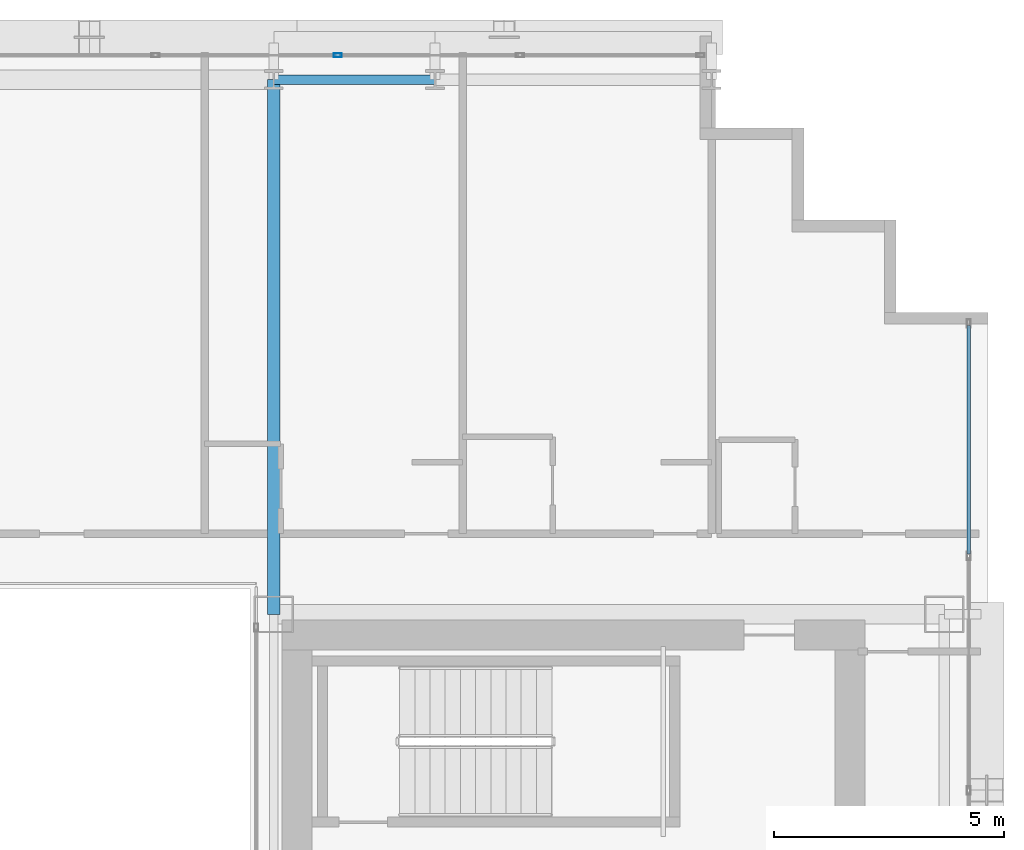
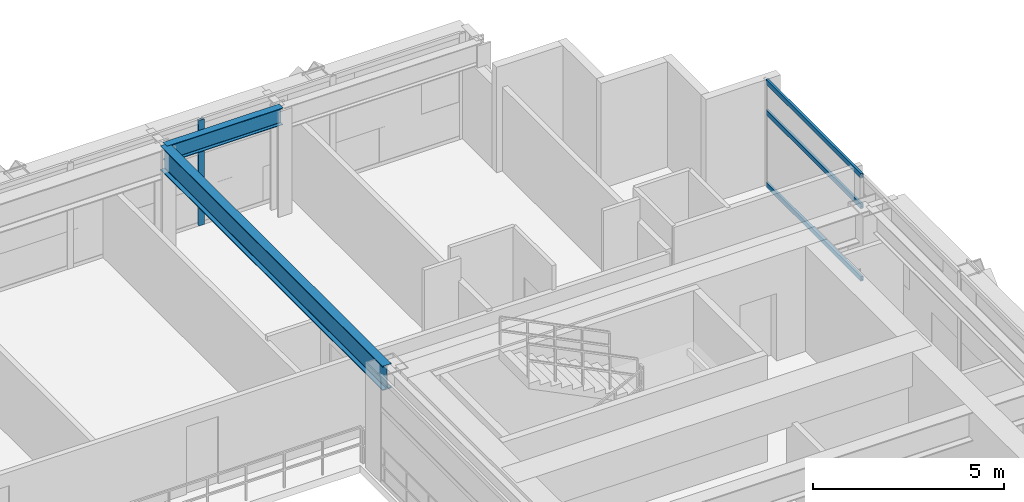
# One storey, part 24 of 39: 4 members, 2 beams, 2 elements without a shape of their own.
"""IFC4 building model written with IfcOpenShell, lengths in metres."""

from ifc_helpers import new_model, si_unit, direction, frame, origin, origin_2d, place, context, subcontext, project, spatial, hollow_rectangle, i_section, extrude, source, transform, mapped, material, layer, layer_set, material_profile, profile_set, type_object, element, aggregate, save


model = new_model("IFC4")

# Units and contexts
model_context = context("Model", 3, precision=1e-05, world=origin(), true_north=direction((0.0, 1.0)))
body_context = subcontext(model_context, "Body", "Model", "MODEL_VIEW")
ifc_project = project(units=[si_unit("LENGTHUNIT", "METRE"), si_unit("AREAUNIT", "SQUARE_METRE"), si_unit("VOLUMEUNIT", "CUBIC_METRE"), si_unit("PLANEANGLEUNIT", "RADIAN"), si_unit("MASSUNIT", "GRAM", prefix="KILO")], contexts=[model_context])

# Site, building, storey
site_placement = place(None, origin())
site = spatial("IfcSite", under=ifc_project, at=site_placement, CompositionType="ELEMENT")
building_placement = place(site_placement, origin())
building = spatial("IfcBuilding", under=site, at=building_placement, Name="Ocotamira Hotel", CompositionType="ELEMENT")
storey_placement = place(building_placement, frame((0.0, 0.0, 126.0)))
storey = spatial("IfcBuildingStorey", under=building, at=storey_placement, Name="L31", CompositionType="ELEMENT", Elevation=126.0)

# Beams
ifc_material_1 = material(Name="Steel ASTM A992 Grade 50", Category="steel")
ifc_material_profile_1 = material_profile(ifc_material_1, i_section(OverallWidth=0.2099609375, OverallDepth=0.537109375, WebThickness=0.010986328125, FlangeThickness=0.017333984375, FilletRadius=0.012939453125, at=origin_2d()), Name="W21X68")
ifc_profile_set_1 = profile_set([ifc_material_profile_1], Name="Steel ASTM A992 Grade 50")
beam_type_1 = type_object("IfcBeamType", Name="BM-SEC-W21X68", PredefinedType="JOIST", material=ifc_profile_set_1)
shared_shape_1 = source(origin(), body_context, "Body", "SweptSolid", [
    extrude(i_section(OverallWidth=0.2099609375, OverallDepth=0.537109375, WebThickness=0.010986328125, FlangeThickness=0.017333984375, FilletRadius=0.012939453125, at=origin_2d()), origin(), (0.0, 0.0, 1.0), 3.5),
])
beam_1_placement = place(storey_placement, frame((40.5, 49.050048828125, 3.091552734375), z_axis=(1.0, 0.0, 0.0), x_axis=(0.0, 1.0, 0.0)))
element("IfcBeam", 1, at=beam_1_placement, inside=storey, type_object=beam_type_1, Name="L31 Girder Y49.05 X40.5-44", PredefinedType="JOIST", context=body_context, shape_type="MappedRepresentation", body=[
    mapped(shared_shape_1, transform((0.0, 0.0, 0.0), scale=1.0)),
])
ifc_material_profile_2 = material_profile(ifc_material_1, i_section(OverallWidth=0.26611328125, OverallDepth=0.779052734375, WebThickness=0.0166015625, FlangeThickness=0.030029296875, FilletRadius=0.01806640625, at=origin_2d()), Name="W30X148")
ifc_profile_set_2 = profile_set([ifc_material_profile_2], Name="Steel ASTM A992 Grade 50")
beam_type_2 = type_object("IfcBeamType", Name="BM-GIRD-W30X148", PredefinedType="BEAM", material=ifc_profile_set_2)
shared_shape_2 = source(origin(), body_context, "Body", "SweptSolid", [
    extrude(i_section(OverallWidth=0.26611328125, OverallDepth=0.779052734375, WebThickness=0.0166015625, FlangeThickness=0.030029296875, FilletRadius=0.01806640625, at=origin_2d()), origin(), (0.0, 0.0, 1.0), 11.60009765625),
])
beam_2_placement = place(storey_placement, frame((40.5, 37.449951171875, 2.970458984375), z_axis=(0.0, 1.0, 0.0), x_axis=(-1.0, 0.0, 0.0)))
element("IfcBeam", 2, at=beam_2_placement, inside=storey, type_object=beam_type_2, Name="L31 Beam X40.5 Y37.45-49.05", PredefinedType="BEAM", context=body_context, shape_type="MappedRepresentation", body=[
    mapped(shared_shape_2, transform((0.0, 0.0, 0.0), scale=1.0)),
])

# Curtain wall, members
ifc_material_2 = material(Name="Anodised pale-metal aluminium and solar glass", Category="aluminium")
ifc_layer = layer(ifc_material_2, 0.179931640625)
ifc_layer_set = layer_set([ifc_layer], Name="Anodised pale-metal aluminium and solar glass")
curtain_wall_type = type_object("IfcCurtainWallType", Name="CW-SYS3-Z2", PredefinedType="NOTDEFINED", material=ifc_layer_set)
curtain_wall_1_placement = place(storey_placement, origin())
curtain_wall_1 = element("IfcCurtainWall", 3, at=curtain_wall_1_placement, inside=storey, type_object=curtain_wall_type, Name="L31 Curtain Wall CW-3 CW-L31-E", PredefinedType="NOTDEFINED")
ifc_material_3 = material(Name="Anodised pale-metal aluminium 6063-T6", Category="aluminium")
ifc_material_profile_3 = material_profile(ifc_material_3, hollow_rectangle(XDim=0.074951171875, YDim=0.14990234375, WallThickness=0.006103515625, at=origin_2d()), Name="HSS150X75X6")
ifc_profile_set_3 = profile_set([ifc_material_profile_3], Name="Anodised pale-metal aluminium 6063-T6")
member_type_1 = type_object("IfcMemberType", Name="CWT-150X75", PredefinedType="USERDEFINED", material=ifc_profile_set_3)
shared_shape_3 = source(origin(), body_context, "Body", "SweptSolid", [
    extrude(hollow_rectangle(XDim=0.074951171875, YDim=0.14990234375, WallThickness=0.006103515625, at=origin_2d()), origin(), (0.0, 0.0, 1.0), 4.965576171875),
])
member_1_placement = place(storey_placement, frame((55.580078125, 38.75439453125, 0.03759765625), z_axis=(0.0, 1.0, 0.0), x_axis=(-1.0, 0.0, 0.0)))
member_1 = element("IfcMember", 4, at=member_1_placement, type_object=member_type_1, Name="CW-3 transom 7.1", ObjectType="TRANSOM", PredefinedType="USERDEFINED", context=body_context, shape_type="MappedRepresentation", body=[
    mapped(shared_shape_3, transform((0.0, 0.0, 0.0), scale=1.0)),
])
member_2_placement = place(storey_placement, frame((55.580078125, 38.75439453125, 2.35009765625), z_axis=(0.0, 1.0, 0.0), x_axis=(-1.0, 0.0, 0.0)))
member_2 = element("IfcMember", 5, at=member_2_placement, type_object=member_type_1, Name="CW-3 transom 7.2", ObjectType="TRANSOM", PredefinedType="USERDEFINED", context=body_context, shape_type="MappedRepresentation", body=[
    mapped(shared_shape_3, transform((0.0, 0.0, 0.0), scale=1.0)),
])
member_3_placement = place(storey_placement, frame((55.580078125, 38.75439453125, 3.322509765625), z_axis=(0.0, 1.0, 0.0), x_axis=(-1.0, 0.0, 0.0)))
member_3 = element("IfcMember", 6, at=member_3_placement, type_object=member_type_1, Name="CW-3 transom 7.3", ObjectType="TRANSOM", PredefinedType="USERDEFINED", context=body_context, shape_type="MappedRepresentation", body=[
    mapped(shared_shape_3, transform((0.0, 0.0, 0.0), scale=1.0)),
])
aggregate(curtain_wall_1, [member_1, member_2, member_3])

# Curtain wall, member
curtain_wall_2_placement = place(storey_placement, origin())
curtain_wall_2 = element("IfcCurtainWall", 7, at=curtain_wall_2_placement, inside=storey, type_object=curtain_wall_type, Name="L31 Curtain Wall CW-3 CW-L31-N", PredefinedType="NOTDEFINED")
ifc_material_profile_4 = material_profile(ifc_material_3, hollow_rectangle(XDim=0.080078125, YDim=0.179931640625, WallThickness=0.006103515625, at=origin_2d()), Name="HSS180X80X6")
ifc_profile_set_4 = profile_set([ifc_material_profile_4], Name="Anodised pale-metal aluminium 6063-T6")
member_type_2 = type_object("IfcMemberType", Name="CWM-180X75", PredefinedType="MULLION", material=ifc_profile_set_4)
shared_shape_4 = source(origin(), body_context, "Body", "SweptSolid", [
    extrude(hollow_rectangle(XDim=0.080078125, YDim=0.179931640625, WallThickness=0.006103515625, at=origin_2d()), origin(), (0.0, 0.0, 1.0), 3.360107421875),
])
member_4_placement = place(storey_placement, frame((41.888916015625, 49.580078125, 0.0), z_axis=(0.0, 0.0, 1.0), x_axis=(0.0, 1.0, 0.0)))
member_4 = element("IfcMember", 8, at=member_4_placement, type_object=member_type_2, Name="CW-3 mullion 8", PredefinedType="MULLION", context=body_context, shape_type="MappedRepresentation", body=[
    mapped(shared_shape_4, transform((0.0, 0.0, 0.0), scale=1.0)),
])
aggregate(curtain_wall_2, [member_4])

save(model, "model.ifc")
